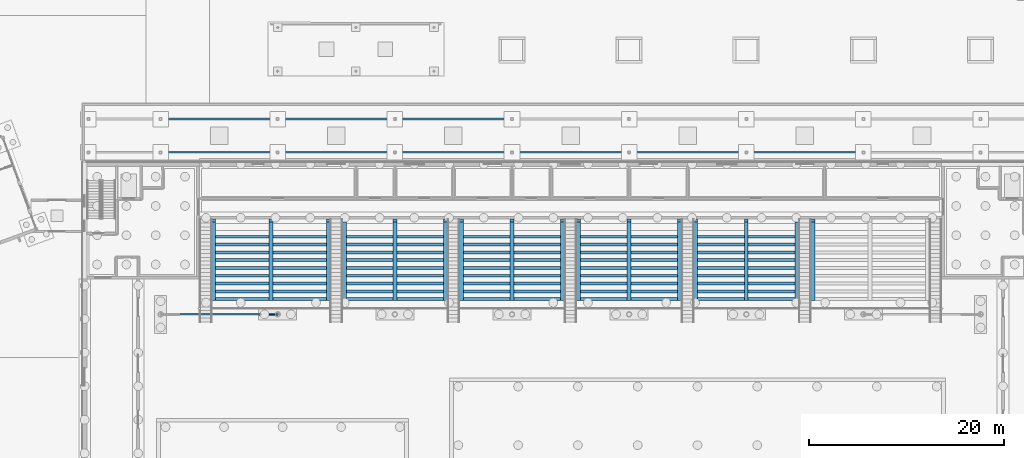
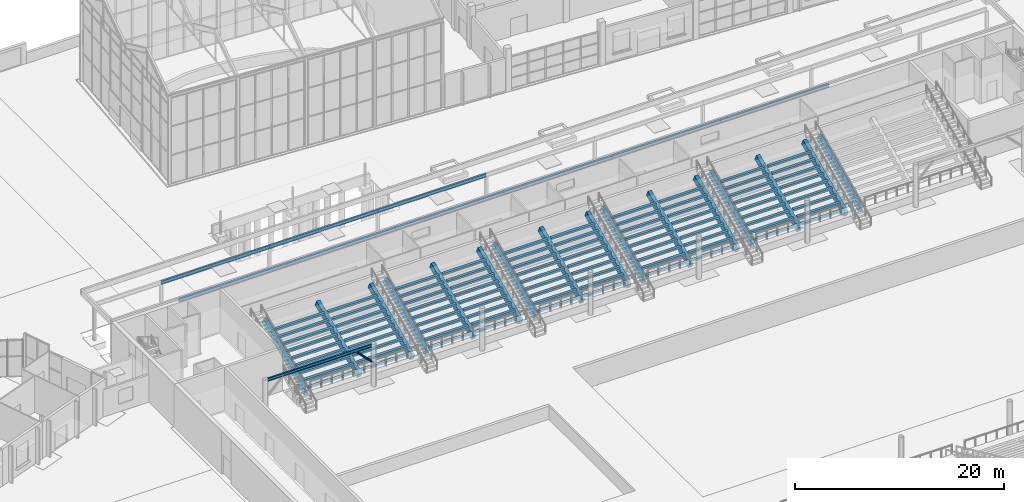
# One storey, part 34 of 157: 116 beams, 1 member.
"""IFC4 building model written with IfcOpenShell, lengths in metres."""

from ifc_helpers import new_model, si_unit, direction, frame, origin, origin_2d, place, context, subcontext, project, spatial, rectangle, hollow_circle, i_section, extrude, material, material_profile, profile_set, type_object, element, save


model = new_model("IFC4")

# Units and contexts
model_context = context("Model", 3, precision=1e-05, world=origin(), true_north=direction((0.0, 1.0)))
body_context = subcontext(model_context, "Body", "Model", "MODEL_VIEW")
ifc_project = project(units=[si_unit("LENGTHUNIT", "METRE"), si_unit("AREAUNIT", "SQUARE_METRE"), si_unit("VOLUMEUNIT", "CUBIC_METRE"), si_unit("PLANEANGLEUNIT", "RADIAN"), si_unit("MASSUNIT", "GRAM", prefix="KILO")], contexts=[model_context])

# Site, building, storey
site_placement = place(None, origin())
site = spatial("IfcSite", under=ifc_project, at=site_placement, CompositionType="ELEMENT")
building_placement = place(site_placement, origin())
building = spatial("IfcBuilding", under=site, at=building_placement, Name="Windward Yard Aquatics Centre", CompositionType="ELEMENT")
storey_placement = place(building_placement, origin())
storey = spatial("IfcBuildingStorey", under=building, at=storey_placement, Name="L00", CompositionType="ELEMENT", Elevation=0.0)

# Beams
ifc_material_1 = material(Name="Steel ASTM A992 Gr 50", Category="steel")
ifc_material_profile_1 = material_profile(ifc_material_1, i_section(OverallWidth=0.180908203125, OverallDepth=0.4169921875, WebThickness=0.010986328125, FlangeThickness=0.018310546875, at=origin_2d()), Name="W410X85")
ifc_profile_set_1 = profile_set([ifc_material_profile_1], Name="Steel ASTM A992 Gr 50")
beam_type_1 = type_object("IfcBeamType", Name="A beam W410X85", PredefinedType="BEAM", material=ifc_profile_set_1)
for number, where, z_axis, x_axis, name in (
    (1, (60.0, 97.0, 4.1416015625), (1.0, 0.0, 0.0), (0.0, 1.0, 0.0), "A.B.1.2"),
    (2, (72.0, 97.0, 4.1416015625), (1.0, 0.0, 0.0), (0.0, 1.0, 0.0), "A.B.1.3"),
    (3, (84.0, 97.0, 4.1416015625), (1.0, 0.0, 0.0), (0.0, 1.0, 0.0), "A.B.1.4"),
    (4, (96.0, 97.0, 4.1416015625), (1.0, 0.0, 0.0), (0.0, 1.0, 0.0), "A.B.1.5"),
    (5, (108.0, 97.0, 4.1416015625), (1.0, 0.0, 0.0), (0.0, 1.0, 0.0), "A.B.1.6"),
    (6, (120.0, 97.0, 4.1416015625), (1.0, 0.0, 0.0), (0.0, 1.0, 0.0), "A.B.1.7"),
    (7, (60.0, 100.39990234375, 4.1416015625), (1.0, 0.0, 0.0), (0.0, 1.0, 0.0), "A.B.2.2"),
    (8, (72.0, 100.39990234375, 4.1416015625), (1.0, 0.0, 0.0), (0.0, 1.0, 0.0), "A.B.2.3"),
    (9, (84.0, 100.39990234375, 4.1416015625), (1.0, 0.0, 0.0), (0.0, 1.0, 0.0), "A.B.2.4"),
):
    element("IfcBeam", number, at=place(storey_placement, frame(where, z_axis=z_axis, x_axis=x_axis)), inside=storey, type_object=beam_type_1, Name=name, PredefinedType="BEAM", context=body_context, shape_type="SweptSolid", body=[
        extrude(i_section(OverallWidth=0.180908203125, OverallDepth=0.4169921875, WebThickness=0.010986328125, FlangeThickness=0.018310546875, at=origin_2d()), origin(), (0.0, 0.0, 1.0), 12.0),
    ])
ifc_material_profile_2 = material_profile(ifc_material_1, i_section(OverallWidth=0.172119140625, OverallDepth=0.35791015625, WebThickness=0.0078125, FlangeThickness=0.01318359375, at=origin_2d()), Name="W360X57.8")
ifc_profile_set_2 = profile_set([ifc_material_profile_2], Name="Steel ASTM A992 Gr 50")
beam_type_2 = type_object("IfcBeamType", Name="H arch column tie beam W360X57.8", PredefinedType="BEAM", material=ifc_profile_set_2)
beam_placement = place(storey_placement, frame((60.25390625, 80.39990234375, 4.821044921875), z_axis=(1.0, 0.0, 0.0), x_axis=(0.0, 1.0, 0.0)))
element("IfcBeam", 10, at=beam_placement, inside=storey, type_object=beam_type_2, Name="H.TB.N1.T1", PredefinedType="BEAM", context=body_context, shape_type="SweptSolid", body=[
    extrude(i_section(OverallWidth=0.172119140625, OverallDepth=0.35791015625, WebThickness=0.0078125, FlangeThickness=0.01318359375, at=origin_2d()), origin(), (0.0, 0.0, 1.0), 11.4921875),
])

# Member
ifc_material_2 = material(Name="Steel ASTM A500 Gr C", Category="steel")
ifc_material_profile_3 = material_profile(ifc_material_2, hollow_circle(Radius=0.109619140625, WallThickness=0.0126953125, at=origin_2d()), Name="HSS219.1X12.7")
ifc_profile_set_3 = profile_set([ifc_material_profile_3], Name="Steel ASTM A500 Gr C")
member_type = type_object("IfcMemberType", Name="H column brace HSS219.1X12.7", PredefinedType="BRACE", material=ifc_profile_set_3)
member_placement = place(storey_placement, frame((72.0, 80.39990234375, 2.699951171875), z_axis=(-0.707062332824, 0.0, 0.707151226755), x_axis=(0.0, -1.0, 0.0)))
element("IfcMember", 11, at=member_placement, inside=storey, type_object=member_type, Name="H.VB.N1.L00.B", PredefinedType="BRACE", context=body_context, shape_type="SweptSolid", body=[
    extrude(hollow_circle(Radius=0.109619140625, WallThickness=0.0126953125, at=origin_2d()), origin(), (0.0, 0.0, 1.0), 2.746337890625),
])

# Beams
ifc_material_3 = material(Name="Concrete C35/45", Category="concrete")
ifc_material_profile_4 = material_profile(ifc_material_3, rectangle(XDim=0.39990234375, YDim=0.699951171875, at=origin_2d()), Name="RC 400X700")
ifc_profile_set_4 = profile_set([ifc_material_profile_4], Name="Concrete C35/45")
beam_type_3 = type_object("IfcBeamType", Name="H stand raker RC 400X700 C35/45", PredefinedType="USERDEFINED", material=ifc_profile_set_4)
for number, where, z_axis, x_axis, name in (
    (12, (65.449951171875, 81.943603515625, 0.540771484375), (0.0, 0.911918401483, 0.410371574353), (-1.0, 0.0, 0.0), "H.RK.N.1.1"),
    (13, (71.3125, 81.943603515625, 0.540771484375), (0.0, 0.911918401483, 0.410371574353), (-1.0, 0.0, 0.0), "H.RK.N.1.2"),
    (14, (77.175048828125, 81.943603515625, 0.540771484375), (0.0, 0.911918401483, 0.410371574353), (-1.0, 0.0, 0.0), "H.RK.N.1.3"),
    (15, (78.824951171875, 81.943603515625, 0.540771484375), (0.0, 0.911918401483, 0.410371574353), (-1.0, 0.0, 0.0), "H.RK.N.2.1"),
    (16, (84.0, 81.943603515625, 0.540771484375), (0.0, 0.911918401483, 0.410371574353), (-1.0, 0.0, 0.0), "H.RK.N.2.2"),
    (17, (89.175048828125, 81.943603515625, 0.540771484375), (0.0, 0.911918401483, 0.410371574353), (-1.0, 0.0, 0.0), "H.RK.N.2.3"),
    (18, (90.824951171875, 81.943603515625, 0.540771484375), (0.0, 0.911918401483, 0.410371574353), (-1.0, 0.0, 0.0), "H.RK.N.3.1"),
    (19, (96.0, 81.943603515625, 0.540771484375), (0.0, 0.911918401483, 0.410371574353), (-1.0, 0.0, 0.0), "H.RK.N.3.2"),
    (20, (101.175048828125, 81.943603515625, 0.540771484375), (0.0, 0.911918401483, 0.410371574353), (-1.0, 0.0, 0.0), "H.RK.N.3.3"),
    (21, (102.824951171875, 81.943603515625, 0.540771484375), (0.0, 0.911918401483, 0.410371574353), (-1.0, 0.0, 0.0), "H.RK.N.4.1"),
    (22, (108.0, 81.943603515625, 0.540771484375), (0.0, 0.911918401483, 0.410371574353), (-1.0, 0.0, 0.0), "H.RK.N.4.2"),
    (23, (113.175048828125, 81.943603515625, 0.540771484375), (0.0, 0.911918401483, 0.410371574353), (-1.0, 0.0, 0.0), "H.RK.N.4.3"),
    (24, (114.824951171875, 81.943603515625, 0.540771484375), (0.0, 0.911918401483, 0.410371574353), (-1.0, 0.0, 0.0), "H.RK.N.5.1"),
    (25, (120.0, 81.943603515625, 0.540771484375), (0.0, 0.911918401483, 0.410371574353), (-1.0, 0.0, 0.0), "H.RK.N.5.2"),
    (26, (125.175048828125, 81.943603515625, 0.540771484375), (0.0, 0.911918401483, 0.410371574353), (-1.0, 0.0, 0.0), "H.RK.N.5.3"),
    (27, (126.824951171875, 81.943603515625, 0.540771484375), (0.0, 0.911918401483, 0.410371574353), (-1.0, 0.0, 0.0), "H.RK.N.6.1"),
):
    element("IfcBeam", number, at=place(storey_placement, frame(where, z_axis=z_axis, x_axis=x_axis)), inside=storey, type_object=beam_type_3, Name=name, ObjectType="RAKER", PredefinedType="USERDEFINED", context=body_context, shape_type="SweptSolid", body=[
        extrude(rectangle(XDim=0.39990234375, YDim=0.699951171875, at=origin_2d()), origin(), (0.0, 0.0, 1.0), 8.8310546875),
    ])
ifc_material_profile_5 = material_profile(ifc_material_3, rectangle(XDim=0.300048828125, YDim=0.22509765625, at=origin_2d()), Name="RC 300X225")
ifc_profile_set_5 = profile_set([ifc_material_profile_5], Name="Concrete C35/45")
beam_type_4 = type_object("IfcBeamType", Name="H stand tread beam RC 300X225 C35/45", PredefinedType="USERDEFINED", material=ifc_profile_set_5)
for number, where, z_axis, x_axis, name in (
    (28, (65.64990234375, 81.949951171875, 1.107421875), (1.0, 0.0, 0.0), (0.0, 1.0, 0.0), "H.TD.N.1.R02.1"),
    (29, (71.512451171875, 81.949951171875, 1.107421875), (1.0, 0.0, 0.0), (0.0, 1.0, 0.0), "H.TD.N.1.R02.2"),
    (30, (65.64990234375, 82.75, 1.467529296875), (1.0, 0.0, 0.0), (0.0, 1.0, 0.0), "H.TD.N.1.R03.1"),
    (31, (71.512451171875, 82.75, 1.467529296875), (1.0, 0.0, 0.0), (0.0, 1.0, 0.0), "H.TD.N.1.R03.2"),
    (32, (65.64990234375, 83.550048828125, 1.827392578125), (1.0, 0.0, 0.0), (0.0, 1.0, 0.0), "H.TD.N.1.R04.1"),
    (33, (71.512451171875, 83.550048828125, 1.827392578125), (1.0, 0.0, 0.0), (0.0, 1.0, 0.0), "H.TD.N.1.R04.2"),
    (34, (65.64990234375, 84.35009765625, 2.1875), (1.0, 0.0, 0.0), (0.0, 1.0, 0.0), "H.TD.N.1.R05.1"),
    (35, (71.512451171875, 84.35009765625, 2.1875), (1.0, 0.0, 0.0), (0.0, 1.0, 0.0), "H.TD.N.1.R05.2"),
    (36, (65.64990234375, 85.14990234375, 2.547607421875), (1.0, 0.0, 0.0), (0.0, 1.0, 0.0), "H.TD.N.1.R06.1"),
    (37, (71.512451171875, 85.14990234375, 2.547607421875), (1.0, 0.0, 0.0), (0.0, 1.0, 0.0), "H.TD.N.1.R06.2"),
    (38, (65.64990234375, 85.949951171875, 2.907470703125), (1.0, 0.0, 0.0), (0.0, 1.0, 0.0), "H.TD.N.1.R07.1"),
    (39, (71.512451171875, 85.949951171875, 2.907470703125), (1.0, 0.0, 0.0), (0.0, 1.0, 0.0), "H.TD.N.1.R07.2"),
    (40, (65.64990234375, 86.75, 3.267578125), (1.0, 0.0, 0.0), (0.0, 1.0, 0.0), "H.TD.N.1.R08.1"),
    (41, (71.512451171875, 86.75, 3.267578125), (1.0, 0.0, 0.0), (0.0, 1.0, 0.0), "H.TD.N.1.R08.2"),
    (42, (65.64990234375, 87.550048828125, 3.62744140625), (1.0, 0.0, 0.0), (0.0, 1.0, 0.0), "H.TD.N.1.R09.1"),
    (43, (71.512451171875, 87.550048828125, 3.62744140625), (1.0, 0.0, 0.0), (0.0, 1.0, 0.0), "H.TD.N.1.R09.2"),
    (44, (65.64990234375, 88.35009765625, 3.987548828125), (1.0, 0.0, 0.0), (0.0, 1.0, 0.0), "H.TD.N.1.R10.1"),
    (45, (71.512451171875, 88.35009765625, 3.987548828125), (1.0, 0.0, 0.0), (0.0, 1.0, 0.0), "H.TD.N.1.R10.2"),
):
    element("IfcBeam", number, at=place(storey_placement, frame(where, z_axis=z_axis, x_axis=x_axis)), inside=storey, type_object=beam_type_4, Name=name, ObjectType="TREAD BEAM", PredefinedType="USERDEFINED", context=body_context, shape_type="SweptSolid", body=[
        extrude(rectangle(XDim=0.300048828125, YDim=0.22509765625, at=origin_2d()), origin(), (0.0, 0.0, 1.0), 5.462646484375),
    ])
for number, where, z_axis, x_axis, name in (
    (46, (79.02490234375, 81.949951171875, 1.107421875), (1.0, 0.0, 0.0), (0.0, 1.0, 0.0), "H.TD.N.2.R02.1"),
    (47, (84.199951171875, 81.949951171875, 1.107421875), (1.0, 0.0, 0.0), (0.0, 1.0, 0.0), "H.TD.N.2.R02.2"),
    (48, (79.02490234375, 82.75, 1.467529296875), (1.0, 0.0, 0.0), (0.0, 1.0, 0.0), "H.TD.N.2.R03.1"),
    (49, (84.199951171875, 82.75, 1.467529296875), (1.0, 0.0, 0.0), (0.0, 1.0, 0.0), "H.TD.N.2.R03.2"),
    (50, (79.02490234375, 83.550048828125, 1.827392578125), (1.0, 0.0, 0.0), (0.0, 1.0, 0.0), "H.TD.N.2.R04.1"),
    (51, (84.199951171875, 83.550048828125, 1.827392578125), (1.0, 0.0, 0.0), (0.0, 1.0, 0.0), "H.TD.N.2.R04.2"),
    (52, (79.02490234375, 84.35009765625, 2.1875), (1.0, 0.0, 0.0), (0.0, 1.0, 0.0), "H.TD.N.2.R05.1"),
    (53, (84.199951171875, 84.35009765625, 2.1875), (1.0, 0.0, 0.0), (0.0, 1.0, 0.0), "H.TD.N.2.R05.2"),
    (54, (79.02490234375, 85.14990234375, 2.547607421875), (1.0, 0.0, 0.0), (0.0, 1.0, 0.0), "H.TD.N.2.R06.1"),
    (55, (84.199951171875, 85.14990234375, 2.547607421875), (1.0, 0.0, 0.0), (0.0, 1.0, 0.0), "H.TD.N.2.R06.2"),
    (56, (79.02490234375, 85.949951171875, 2.907470703125), (1.0, 0.0, 0.0), (0.0, 1.0, 0.0), "H.TD.N.2.R07.1"),
    (57, (84.199951171875, 85.949951171875, 2.907470703125), (1.0, 0.0, 0.0), (0.0, 1.0, 0.0), "H.TD.N.2.R07.2"),
    (58, (79.02490234375, 86.75, 3.267578125), (1.0, 0.0, 0.0), (0.0, 1.0, 0.0), "H.TD.N.2.R08.1"),
    (59, (84.199951171875, 86.75, 3.267578125), (1.0, 0.0, 0.0), (0.0, 1.0, 0.0), "H.TD.N.2.R08.2"),
    (60, (79.02490234375, 87.550048828125, 3.62744140625), (1.0, 0.0, 0.0), (0.0, 1.0, 0.0), "H.TD.N.2.R09.1"),
    (61, (84.199951171875, 87.550048828125, 3.62744140625), (1.0, 0.0, 0.0), (0.0, 1.0, 0.0), "H.TD.N.2.R09.2"),
    (62, (79.02490234375, 88.35009765625, 3.987548828125), (1.0, 0.0, 0.0), (0.0, 1.0, 0.0), "H.TD.N.2.R10.1"),
    (63, (84.199951171875, 88.35009765625, 3.987548828125), (1.0, 0.0, 0.0), (0.0, 1.0, 0.0), "H.TD.N.2.R10.2"),
    (64, (91.02490234375, 81.949951171875, 1.107421875), (1.0, 0.0, 0.0), (0.0, 1.0, 0.0), "H.TD.N.3.R02.1"),
    (65, (96.199951171875, 81.949951171875, 1.107421875), (1.0, 0.0, 0.0), (0.0, 1.0, 0.0), "H.TD.N.3.R02.2"),
    (66, (91.02490234375, 82.75, 1.467529296875), (1.0, 0.0, 0.0), (0.0, 1.0, 0.0), "H.TD.N.3.R03.1"),
    (67, (96.199951171875, 82.75, 1.467529296875), (1.0, 0.0, 0.0), (0.0, 1.0, 0.0), "H.TD.N.3.R03.2"),
    (68, (91.02490234375, 83.550048828125, 1.827392578125), (1.0, 0.0, 0.0), (0.0, 1.0, 0.0), "H.TD.N.3.R04.1"),
    (69, (96.199951171875, 83.550048828125, 1.827392578125), (1.0, 0.0, 0.0), (0.0, 1.0, 0.0), "H.TD.N.3.R04.2"),
    (70, (91.02490234375, 84.35009765625, 2.1875), (1.0, 0.0, 0.0), (0.0, 1.0, 0.0), "H.TD.N.3.R05.1"),
    (71, (96.199951171875, 84.35009765625, 2.1875), (1.0, 0.0, 0.0), (0.0, 1.0, 0.0), "H.TD.N.3.R05.2"),
    (72, (91.02490234375, 85.14990234375, 2.547607421875), (1.0, 0.0, 0.0), (0.0, 1.0, 0.0), "H.TD.N.3.R06.1"),
    (73, (96.199951171875, 85.14990234375, 2.547607421875), (1.0, 0.0, 0.0), (0.0, 1.0, 0.0), "H.TD.N.3.R06.2"),
    (74, (91.02490234375, 85.949951171875, 2.907470703125), (1.0, 0.0, 0.0), (0.0, 1.0, 0.0), "H.TD.N.3.R07.1"),
    (75, (96.199951171875, 85.949951171875, 2.907470703125), (1.0, 0.0, 0.0), (0.0, 1.0, 0.0), "H.TD.N.3.R07.2"),
    (76, (91.02490234375, 86.75, 3.267578125), (1.0, 0.0, 0.0), (0.0, 1.0, 0.0), "H.TD.N.3.R08.1"),
    (77, (96.199951171875, 86.75, 3.267578125), (1.0, 0.0, 0.0), (0.0, 1.0, 0.0), "H.TD.N.3.R08.2"),
    (78, (91.02490234375, 87.550048828125, 3.62744140625), (1.0, 0.0, 0.0), (0.0, 1.0, 0.0), "H.TD.N.3.R09.1"),
    (79, (96.199951171875, 87.550048828125, 3.62744140625), (1.0, 0.0, 0.0), (0.0, 1.0, 0.0), "H.TD.N.3.R09.2"),
    (80, (91.02490234375, 88.35009765625, 3.987548828125), (1.0, 0.0, 0.0), (0.0, 1.0, 0.0), "H.TD.N.3.R10.1"),
    (81, (96.199951171875, 88.35009765625, 3.987548828125), (1.0, 0.0, 0.0), (0.0, 1.0, 0.0), "H.TD.N.3.R10.2"),
    (82, (103.02490234375, 81.949951171875, 1.107421875), (1.0, 0.0, 0.0), (0.0, 1.0, 0.0), "H.TD.N.4.R02.1"),
    (83, (108.199951171875, 81.949951171875, 1.107421875), (1.0, 0.0, 0.0), (0.0, 1.0, 0.0), "H.TD.N.4.R02.2"),
    (84, (103.02490234375, 82.75, 1.467529296875), (1.0, 0.0, 0.0), (0.0, 1.0, 0.0), "H.TD.N.4.R03.1"),
    (85, (108.199951171875, 82.75, 1.467529296875), (1.0, 0.0, 0.0), (0.0, 1.0, 0.0), "H.TD.N.4.R03.2"),
    (86, (103.02490234375, 83.550048828125, 1.827392578125), (1.0, 0.0, 0.0), (0.0, 1.0, 0.0), "H.TD.N.4.R04.1"),
    (87, (108.199951171875, 83.550048828125, 1.827392578125), (1.0, 0.0, 0.0), (0.0, 1.0, 0.0), "H.TD.N.4.R04.2"),
    (88, (103.02490234375, 84.35009765625, 2.1875), (1.0, 0.0, 0.0), (0.0, 1.0, 0.0), "H.TD.N.4.R05.1"),
    (89, (108.199951171875, 84.35009765625, 2.1875), (1.0, 0.0, 0.0), (0.0, 1.0, 0.0), "H.TD.N.4.R05.2"),
    (90, (103.02490234375, 85.14990234375, 2.547607421875), (1.0, 0.0, 0.0), (0.0, 1.0, 0.0), "H.TD.N.4.R06.1"),
    (91, (108.199951171875, 85.14990234375, 2.547607421875), (1.0, 0.0, 0.0), (0.0, 1.0, 0.0), "H.TD.N.4.R06.2"),
    (92, (103.02490234375, 85.949951171875, 2.907470703125), (1.0, 0.0, 0.0), (0.0, 1.0, 0.0), "H.TD.N.4.R07.1"),
    (93, (108.199951171875, 85.949951171875, 2.907470703125), (1.0, 0.0, 0.0), (0.0, 1.0, 0.0), "H.TD.N.4.R07.2"),
    (94, (103.02490234375, 86.75, 3.267578125), (1.0, 0.0, 0.0), (0.0, 1.0, 0.0), "H.TD.N.4.R08.1"),
    (95, (108.199951171875, 86.75, 3.267578125), (1.0, 0.0, 0.0), (0.0, 1.0, 0.0), "H.TD.N.4.R08.2"),
    (96, (103.02490234375, 87.550048828125, 3.62744140625), (1.0, 0.0, 0.0), (0.0, 1.0, 0.0), "H.TD.N.4.R09.1"),
    (97, (108.199951171875, 87.550048828125, 3.62744140625), (1.0, 0.0, 0.0), (0.0, 1.0, 0.0), "H.TD.N.4.R09.2"),
    (98, (103.02490234375, 88.35009765625, 3.987548828125), (1.0, 0.0, 0.0), (0.0, 1.0, 0.0), "H.TD.N.4.R10.1"),
    (99, (108.199951171875, 88.35009765625, 3.987548828125), (1.0, 0.0, 0.0), (0.0, 1.0, 0.0), "H.TD.N.4.R10.2"),
    (100, (115.02490234375, 81.949951171875, 1.107421875), (1.0, 0.0, 0.0), (0.0, 1.0, 0.0), "H.TD.N.5.R02.1"),
    (101, (120.199951171875, 81.949951171875, 1.107421875), (1.0, 0.0, 0.0), (0.0, 1.0, 0.0), "H.TD.N.5.R02.2"),
    (102, (115.02490234375, 82.75, 1.467529296875), (1.0, 0.0, 0.0), (0.0, 1.0, 0.0), "H.TD.N.5.R03.1"),
    (103, (120.199951171875, 82.75, 1.467529296875), (1.0, 0.0, 0.0), (0.0, 1.0, 0.0), "H.TD.N.5.R03.2"),
    (104, (115.02490234375, 83.550048828125, 1.827392578125), (1.0, 0.0, 0.0), (0.0, 1.0, 0.0), "H.TD.N.5.R04.1"),
    (105, (120.199951171875, 83.550048828125, 1.827392578125), (1.0, 0.0, 0.0), (0.0, 1.0, 0.0), "H.TD.N.5.R04.2"),
    (106, (115.02490234375, 84.35009765625, 2.1875), (1.0, 0.0, 0.0), (0.0, 1.0, 0.0), "H.TD.N.5.R05.1"),
    (107, (120.199951171875, 84.35009765625, 2.1875), (1.0, 0.0, 0.0), (0.0, 1.0, 0.0), "H.TD.N.5.R05.2"),
    (108, (115.02490234375, 85.14990234375, 2.547607421875), (1.0, 0.0, 0.0), (0.0, 1.0, 0.0), "H.TD.N.5.R06.1"),
    (109, (120.199951171875, 85.14990234375, 2.547607421875), (1.0, 0.0, 0.0), (0.0, 1.0, 0.0), "H.TD.N.5.R06.2"),
    (110, (115.02490234375, 85.949951171875, 2.907470703125), (1.0, 0.0, 0.0), (0.0, 1.0, 0.0), "H.TD.N.5.R07.1"),
    (111, (120.199951171875, 85.949951171875, 2.907470703125), (1.0, 0.0, 0.0), (0.0, 1.0, 0.0), "H.TD.N.5.R07.2"),
    (112, (115.02490234375, 86.75, 3.267578125), (1.0, 0.0, 0.0), (0.0, 1.0, 0.0), "H.TD.N.5.R08.1"),
    (113, (120.199951171875, 86.75, 3.267578125), (1.0, 0.0, 0.0), (0.0, 1.0, 0.0), "H.TD.N.5.R08.2"),
    (114, (115.02490234375, 87.550048828125, 3.62744140625), (1.0, 0.0, 0.0), (0.0, 1.0, 0.0), "H.TD.N.5.R09.1"),
    (115, (120.199951171875, 87.550048828125, 3.62744140625), (1.0, 0.0, 0.0), (0.0, 1.0, 0.0), "H.TD.N.5.R09.2"),
    (116, (115.02490234375, 88.35009765625, 3.987548828125), (1.0, 0.0, 0.0), (0.0, 1.0, 0.0), "H.TD.N.5.R10.1"),
    (117, (120.199951171875, 88.35009765625, 3.987548828125), (1.0, 0.0, 0.0), (0.0, 1.0, 0.0), "H.TD.N.5.R10.2"),
):
    element("IfcBeam", number, at=place(storey_placement, frame(where, z_axis=z_axis, x_axis=x_axis)), inside=storey, type_object=beam_type_4, Name=name, ObjectType="TREAD BEAM", PredefinedType="USERDEFINED", context=body_context, shape_type="SweptSolid", body=[
        extrude(rectangle(XDim=0.300048828125, YDim=0.22509765625, at=origin_2d()), origin(), (0.0, 0.0, 1.0), 4.775146484375),
    ])

save(model, "model.ifc")
